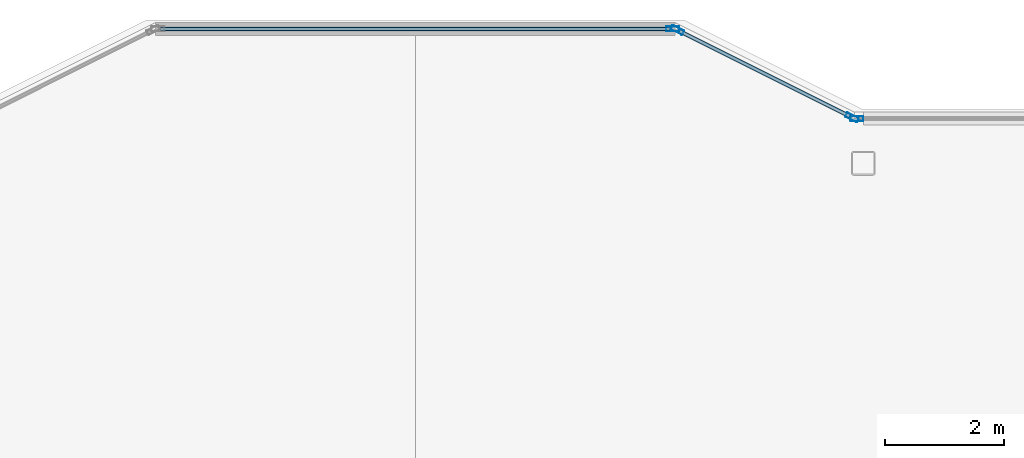
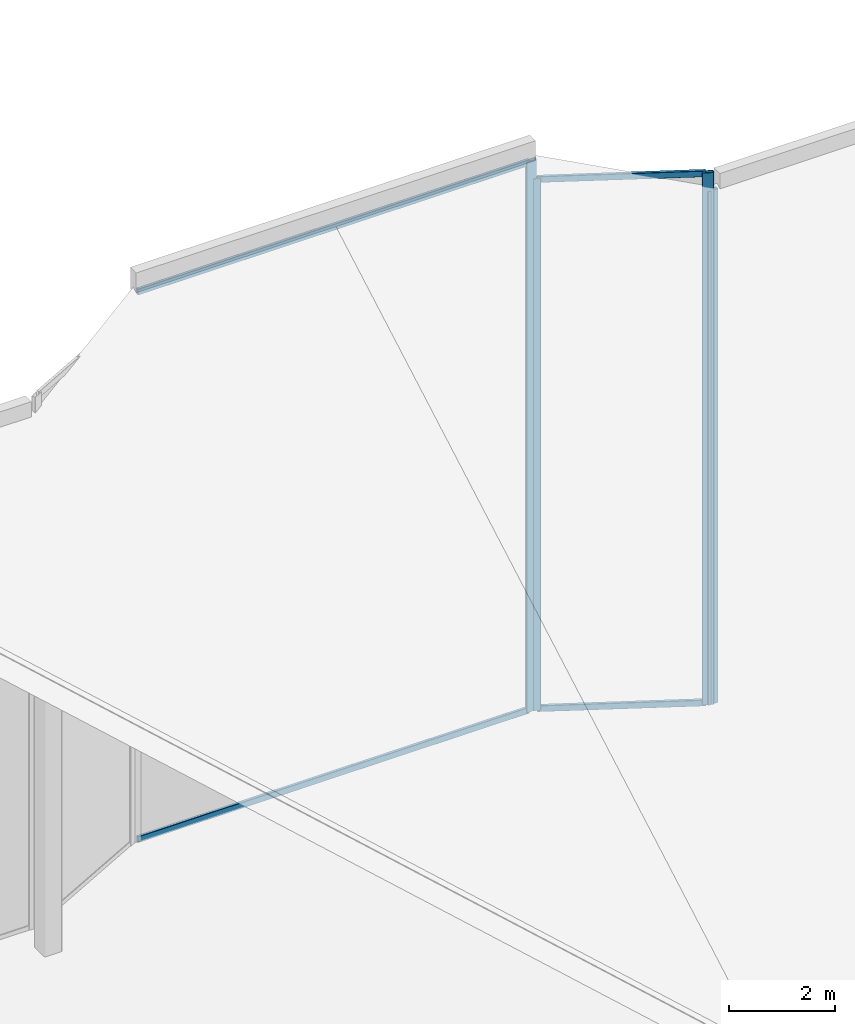
# One storey, part 5 of 11: 8 members, 3 elements without a shape of their own.
"""IFC4 building model written with IfcOpenShell, lengths in metres."""

from ifc_helpers import new_model, si_unit, direction, frame, origin, origin_2d, place, context, subcontext, project, spatial, hollow_rectangle, extrude, material, layer, layer_set, material_profile, profile_set, type_object, element, aggregate, save


model = new_model("IFC4")

# Units and contexts
model_context = context("Model", 3, precision=1e-05, world=origin(), true_north=direction((0.0, 1.0)))
body_context = subcontext(model_context, "Body", "Model", "MODEL_VIEW")
ifc_project = project(units=[si_unit("LENGTHUNIT", "METRE"), si_unit("AREAUNIT", "SQUARE_METRE"), si_unit("VOLUMEUNIT", "CUBIC_METRE"), si_unit("PLANEANGLEUNIT", "RADIAN"), si_unit("MASSUNIT", "GRAM", prefix="KILO")], contexts=[model_context])

# Site, building, storey
site_placement = place(None, origin())
site = spatial("IfcSite", under=ifc_project, at=site_placement, CompositionType="ELEMENT")
building_placement = place(site_placement, origin())
building = spatial("IfcBuilding", under=site, at=building_placement, Name="Tarnavaz Court Tower", CompositionType="ELEMENT")
storey_placement = place(building_placement, frame((0.0, 0.0, 304.050048828125)))
storey = spatial("IfcBuildingStorey", under=building, at=storey_placement, Name="C06", CompositionType="ELEMENT", Elevation=304.050048828125)

# Curtain wall, member
ifc_material_1 = material(Name="Anodised Aluminium 6063-T6 and Solar Low-E Glazing", Category="aluminium")
ifc_layer = layer(ifc_material_1, 0.2099609375)
ifc_layer_set = layer_set([ifc_layer], Name="Anodised Aluminium 6063-T6 and Solar Low-E Glazing")
curtain_wall_type = type_object("IfcCurtainWallType", Name="CW-SYS-06", PredefinedType="NOTDEFINED", material=ifc_layer_set)
curtain_wall_1_placement = place(storey_placement, origin())
curtain_wall_1 = element("IfcCurtainWall", 1, at=curtain_wall_1_placement, inside=storey, type_object=curtain_wall_type, Name="C06 Slanted Crown Terracotta Curtain Wall 5", PredefinedType="NOTDEFINED")
ifc_material_2 = material(Name="Anodised Aluminium 6063-T6", Category="aluminium")
ifc_material_profile_1 = material_profile(ifc_material_2, hollow_rectangle(XDim=0.0849609375, YDim=0.219970703125, WallThickness=0.006103515625, InnerFilletRadius=0.006103515625, OuterFilletRadius=0.011962890625, at=origin_2d()), Name="ALU RHS 220X85X6")
ifc_profile_set_1 = profile_set([ifc_material_profile_1], Name="Anodised Aluminium 6063-T6")
member_type_1 = type_object("IfcMemberType", Name="CW-MUL-220", PredefinedType="MULLION", material=ifc_profile_set_1)
member_1_placement = place(storey_placement, frame((4.3076171875, 22.35009765625, 0.0), z_axis=(0.0, 0.0, 1.0), x_axis=(0.0, 1.0, 0.0)))
member_1 = element("IfcMember", 2, at=member_1_placement, type_object=member_type_1, Name="CW mullion 2", PredefinedType="MULLION", context=body_context, shape_type="SweptSolid", body=[
    extrude(hollow_rectangle(XDim=0.0849609375, YDim=0.219970703125, WallThickness=0.006103515625, InnerFilletRadius=0.006103515625, OuterFilletRadius=0.011962890625, at=origin_2d()), origin(), (0.0, 0.0, 1.0), 12.675048828125),
])

# Curtain wall, members
curtain_wall_2_placement = place(storey_placement, origin())
curtain_wall_2 = element("IfcCurtainWall", 3, at=curtain_wall_2_placement, inside=storey, type_object=curtain_wall_type, Name="C06 Slanted Crown Terracotta Curtain Wall 6", PredefinedType="NOTDEFINED")
member_2_placement = place(storey_placement, frame((4.387939453125, 22.3310546875, 0.0), z_axis=(0.0, 0.0, 1.0), x_axis=(0.447213595499, 0.894427191001, 0.0)))
member_2 = element("IfcMember", 4, at=member_2_placement, type_object=member_type_1, Name="CW mullion 1", PredefinedType="MULLION", context=body_context, shape_type="SweptSolid", body=[
    extrude(hollow_rectangle(XDim=0.0849609375, YDim=0.219970703125, WallThickness=0.006103515625, InnerFilletRadius=0.006103515625, OuterFilletRadius=0.011962890625, at=origin_2d()), origin(), (0.0, 0.0, 1.0), 12.2509765625),
])
member_3_placement = place(storey_placement, frame((7.31201171875, 20.868896484375, 0.0), z_axis=(0.0, 0.0, 1.0), x_axis=(0.447213595499, 0.894427191001, 0.0)))
member_3 = element("IfcMember", 5, at=member_3_placement, type_object=member_type_1, Name="CW mullion 2", PredefinedType="MULLION", context=body_context, shape_type="SweptSolid", body=[
    extrude(hollow_rectangle(XDim=0.0849609375, YDim=0.219970703125, WallThickness=0.006103515625, InnerFilletRadius=0.006103515625, OuterFilletRadius=0.011962890625, at=origin_2d()), origin(), (0.0, 0.0, 1.0), 12.2509765625),
])

# Curtain wall, member
curtain_wall_3_placement = place(storey_placement, origin())
curtain_wall_3 = element("IfcCurtainWall", 6, at=curtain_wall_3_placement, inside=storey, type_object=curtain_wall_type, Name="C06 Slanted Crown Terracotta Curtain Wall 7", PredefinedType="NOTDEFINED")
member_4_placement = place(storey_placement, frame((7.392578125, 20.85009765625, 0.0), z_axis=(0.0, 0.0, 1.0), x_axis=(0.0, 1.0, 0.0)))
member_4 = element("IfcMember", 7, at=member_4_placement, type_object=member_type_1, Name="CW mullion 1", PredefinedType="MULLION", context=body_context, shape_type="SweptSolid", body=[
    extrude(hollow_rectangle(XDim=0.0849609375, YDim=0.219970703125, WallThickness=0.006103515625, InnerFilletRadius=0.006103515625, OuterFilletRadius=0.011962890625, at=origin_2d()), origin(), (0.0, 0.0, 1.0), 11.82666015625),
])
aggregate(curtain_wall_3, [member_4])

# Member
ifc_material_profile_2 = material_profile(ifc_material_2, hollow_rectangle(XDim=0.06494140625, YDim=0.139892578125, WallThickness=0.00390625, InnerFilletRadius=0.00390625, OuterFilletRadius=0.008056640625, at=origin_2d()), Name="ALU RHS 140X65X4")
ifc_profile_set_2 = profile_set([ifc_material_profile_2], Name="Anodised Aluminium 6063-T6")
member_type_2 = type_object("IfcMemberType", Name="CW-TRN-140", PredefinedType="USERDEFINED", material=ifc_profile_set_2)
member_5_placement = place(storey_placement, frame((-4.264892578125, 22.35009765625, 0.032470703125), z_axis=(1.0, 0.0, 0.0), x_axis=(0.0, 1.0, 0.0)))
member_5 = element("IfcMember", 8, at=member_5_placement, type_object=member_type_2, Name="CW transom 1.1", ObjectType="TRANSOM", PredefinedType="USERDEFINED", context=body_context, shape_type="SweptSolid", body=[
    extrude(hollow_rectangle(XDim=0.06494140625, YDim=0.139892578125, WallThickness=0.00390625, InnerFilletRadius=0.00390625, OuterFilletRadius=0.008056640625, at=origin_2d()), origin(), (0.0, 0.0, 1.0), 8.52978515625),
])

member_6_placement = place(storey_placement, frame((-4.264892578125, 22.35009765625, 12.642578125), z_axis=(1.0, 0.0, 0.0), x_axis=(0.0, 1.0, 0.0)))
member_6 = element("IfcMember", 9, at=member_6_placement, type_object=member_type_2, Name="CW transom 1.2", ObjectType="TRANSOM", PredefinedType="USERDEFINED", context=body_context, shape_type="SweptSolid", body=[
    extrude(hollow_rectangle(XDim=0.06494140625, YDim=0.139892578125, WallThickness=0.00390625, InnerFilletRadius=0.00390625, OuterFilletRadius=0.008056640625, at=origin_2d()), origin(), (0.0, 0.0, 1.0), 8.52978515625),
])

aggregate(curtain_wall_1, [member_1, member_5, member_6])

member_7_placement = place(storey_placement, frame((4.426025390625, 22.31201171875, 0.032470703125), z_axis=(0.894411855509, -0.447244265168, 0.0), x_axis=(0.447244265168, 0.894411855509, 0.0)))
member_7 = element("IfcMember", 10, at=member_7_placement, type_object=member_type_2, Name="CW transom 1.1", ObjectType="TRANSOM", PredefinedType="USERDEFINED", context=body_context, shape_type="SweptSolid", body=[
    extrude(hollow_rectangle(XDim=0.06494140625, YDim=0.139892578125, WallThickness=0.00390625, InnerFilletRadius=0.00390625, OuterFilletRadius=0.008056640625, at=origin_2d()), origin(), (0.0, 0.0, 1.0), 3.18408203125),
])

member_8_placement = place(storey_placement, frame((4.426025390625, 22.31201171875, 12.218505859375), z_axis=(0.894411855509, -0.447244265168, 0.0), x_axis=(0.447244265168, 0.894411855509, 0.0)))
member_8 = element("IfcMember", 11, at=member_8_placement, type_object=member_type_2, Name="CW transom 1.2", ObjectType="TRANSOM", PredefinedType="USERDEFINED", context=body_context, shape_type="SweptSolid", body=[
    extrude(hollow_rectangle(XDim=0.06494140625, YDim=0.139892578125, WallThickness=0.00390625, InnerFilletRadius=0.00390625, OuterFilletRadius=0.008056640625, at=origin_2d()), origin(), (0.0, 0.0, 1.0), 3.18408203125),
])

aggregate(curtain_wall_2, [member_2, member_3, member_7, member_8])

save(model, "model.ifc")
